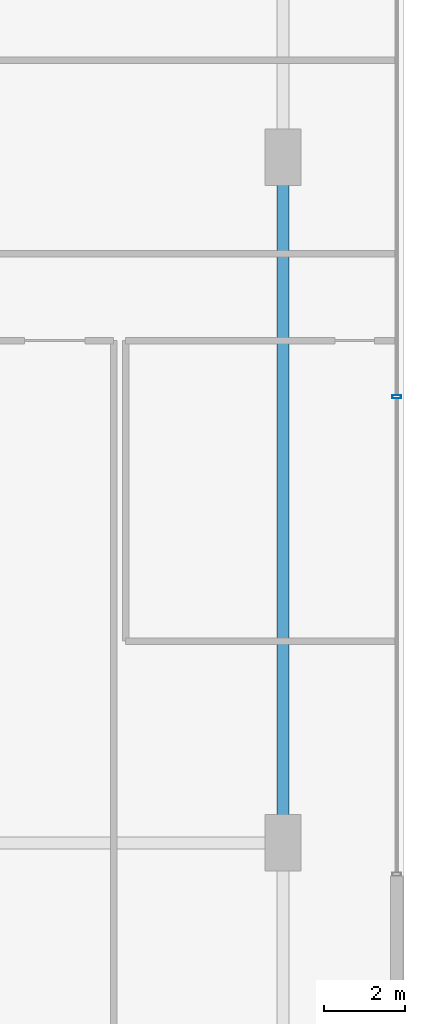
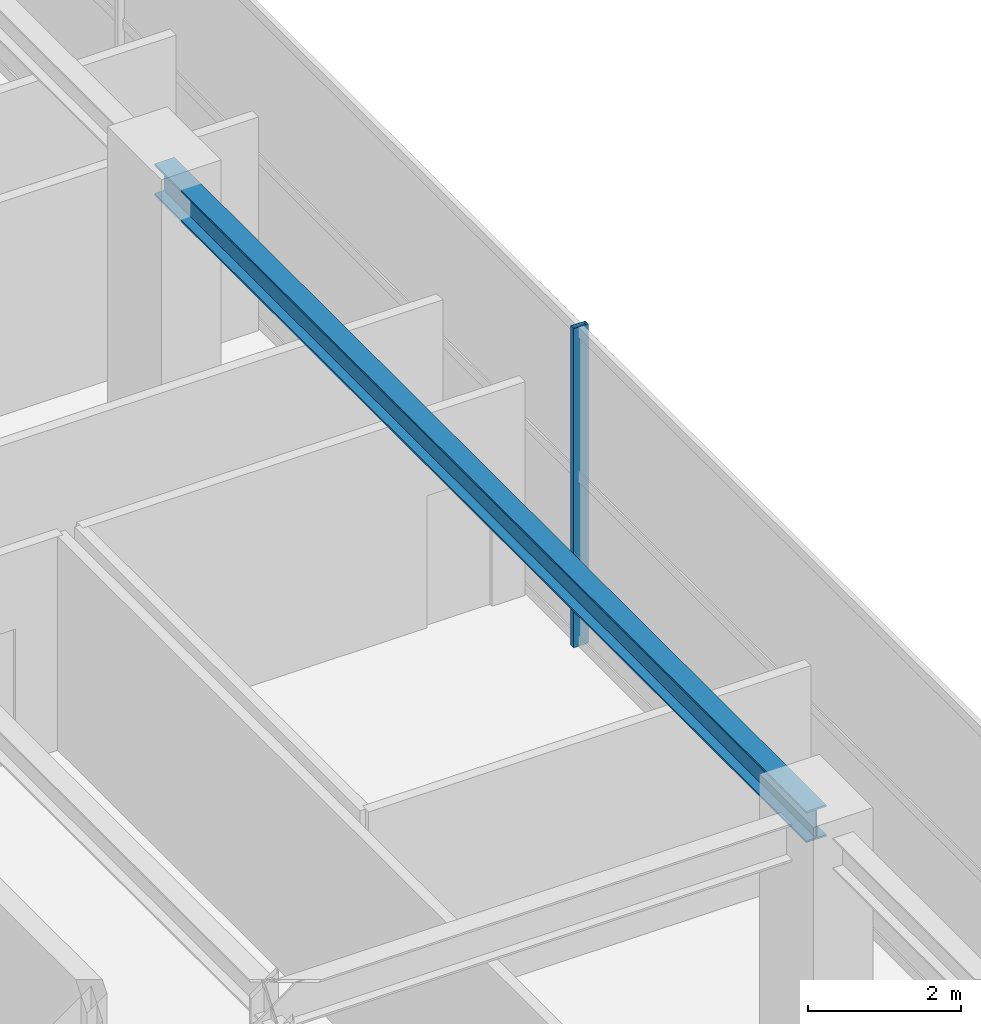
# One storey, part 22 of 34: 1 beam, 1 member, 1 element without a shape of its own.
"""IFC4 building model written with IfcOpenShell, lengths in metres."""

from ifc_helpers import new_model, si_unit, direction, frame, origin, origin_2d, place, context, subcontext, project, spatial, hollow_rectangle, i_section, extrude, source, transform, mapped, material, material_profile, profile_set, type_object, element, aggregate, save


model = new_model("IFC4")

# Units and contexts
model_context = context("Model", 3, precision=1e-05, world=origin(), true_north=direction((0.0, 1.0)))
body_context = subcontext(model_context, "Body", "Model", "MODEL_VIEW")
ifc_project = project(units=[si_unit("LENGTHUNIT", "METRE"), si_unit("AREAUNIT", "SQUARE_METRE"), si_unit("VOLUMEUNIT", "CUBIC_METRE"), si_unit("PLANEANGLEUNIT", "RADIAN"), si_unit("MASSUNIT", "GRAM", prefix="KILO")], contexts=[model_context])

# Site, building, storey
site_placement = place(None, origin())
site = spatial("IfcSite", under=ifc_project, at=site_placement, CompositionType="ELEMENT")
building_placement = place(site_placement, origin())
building = spatial("IfcBuilding", under=site, at=building_placement, Name="Nahalor Promenade Grand Hotel", CompositionType="ELEMENT")
storey_placement = place(building_placement, frame((0.0, 0.0, 16.199951171875)))
storey = spatial("IfcBuildingStorey", under=building, at=storey_placement, Name="L03", CompositionType="ELEMENT", Elevation=16.199951171875)

# Beam
ifc_material_1 = material(Name="Steel S355JR", Category="steel")
ifc_material_profile_1 = material_profile(ifc_material_1, i_section(OverallWidth=0.3, OverallDepth=0.5, WebThickness=0.0145, FlangeThickness=0.028, at=origin_2d()), Name="HEB 500")
ifc_profile_set_1 = profile_set([ifc_material_profile_1], Name="Steel S355JR")
beam_type = type_object("IfcBeamType", Name="Beam-Spandrel-HEB500", PredefinedType="SPANDREL", material=ifc_profile_set_1)
shared_shape_1 = source(origin(), body_context, "Body", "SweptSolid", [
    extrude(i_section(OverallWidth=0.3, OverallDepth=0.5, WebThickness=0.0145, FlangeThickness=0.028, at=origin_2d()), origin(), (0.0, 0.0, 1.0), 17.0),
])
beam_placement = place(storey_placement, frame((33.0, -17.0, 4.830078125), z_axis=(0.0, 1.0, 0.0), x_axis=(-1.0, 0.0, 0.0)))
element("IfcBeam", 1, at=beam_placement, inside=storey, type_object=beam_type, Name="BM-L03-PE-1", PredefinedType="SPANDREL", context=body_context, shape_type="MappedRepresentation", body=[
    mapped(shared_shape_1, transform((0.0, 0.0, 0.0), scale=1.0)),
])

# Curtain wall, member
ifc_material_2 = material(Name="Anodised Bronze Aluminium EN AW-6063 T6", Category="aluminium")
curtain_wall_type = type_object("IfcCurtainWallType", Name="CW1 Waterfront Podium Bronze Arcade Curtain Wall", PredefinedType="USERDEFINED", material=ifc_material_2)
curtain_wall_placement = place(storey_placement, origin())
curtain_wall = element("IfcCurtainWall", 2, at=curtain_wall_placement, inside=storey, type_object=curtain_wall_type, Name="L03 Curtain Wall CW-L03-E", ObjectType="UNITISED_CURTAIN_WALL", PredefinedType="USERDEFINED")
ifc_material_profile_2 = material_profile(ifc_material_2, hollow_rectangle(XDim=0.08, YDim=0.22, WallThickness=0.005, at=origin_2d()), Name="CWM 80x220x5")
ifc_profile_set_2 = profile_set([ifc_material_profile_2], Name="Anodised Bronze Aluminium EN AW-6063 T6")
member_type = type_object("IfcMemberType", Name="CWM1 Podium Bronze Mullion 80x220", PredefinedType="MULLION", material=ifc_profile_set_2)
shared_shape_2 = source(origin(), body_context, "Body", "SweptSolid", [
    extrude(hollow_rectangle(XDim=0.08, YDim=0.22, WallThickness=0.005, at=origin_2d()), origin(), (0.0, 0.0, 1.0), 5.080078125),
])
member_placement = place(storey_placement, frame((35.820068359375, -5.93994140625, 0.0), z_axis=(0.0, 0.0, 1.0), x_axis=(0.0, 1.0, 0.0)))
member = element("IfcMember", 3, at=member_placement, type_object=member_type, Name="CW-L03-E Mullion 1", PredefinedType="MULLION", context=body_context, shape_type="MappedRepresentation", body=[
    mapped(shared_shape_2, transform((0.0, 0.0, 0.0), scale=1.0)),
])
aggregate(curtain_wall, [member])

save(model, "model.ifc")
